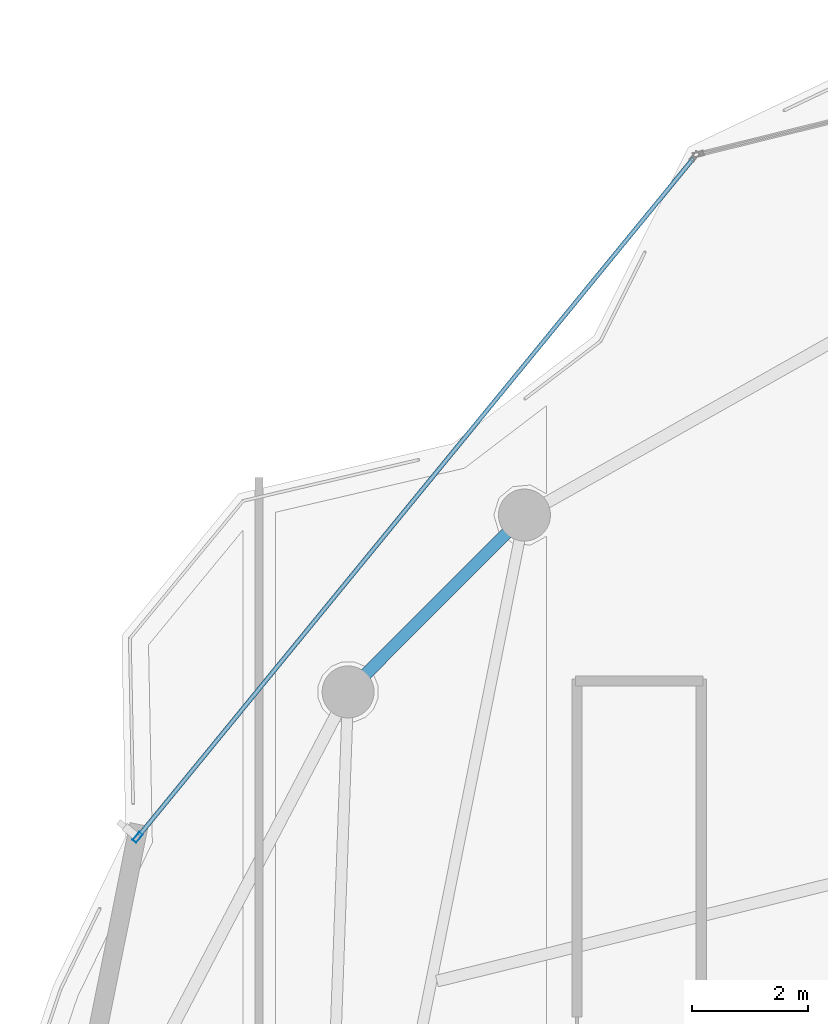
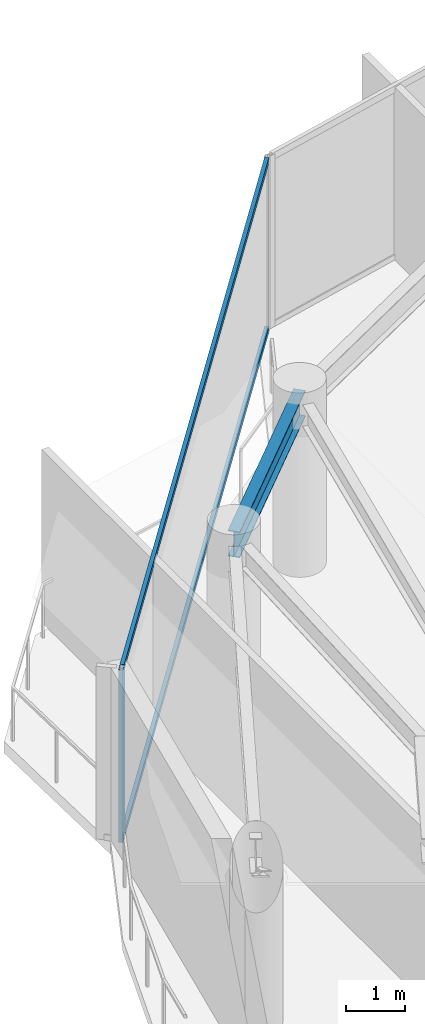
# One storey, part 18 of 29: 3 members, 1 beam, 1 element without a shape of its own.
"""IFC4 building model written with IfcOpenShell, lengths in metres."""

from ifc_helpers import new_model, si_unit, direction, frame, origin, origin_2d, place, context, subcontext, project, spatial, hollow_rectangle, i_section, extrude, material, layer, layer_set, material_profile, profile_set, type_object, element, aggregate, save


model = new_model("IFC4")

# Units and contexts
model_context = context("Model", 3, precision=1e-05, world=origin(), true_north=direction((0.0, 1.0)))
body_context = subcontext(model_context, "Body", "Model", "MODEL_VIEW")
ifc_project = project(units=[si_unit("LENGTHUNIT", "METRE"), si_unit("AREAUNIT", "SQUARE_METRE"), si_unit("VOLUMEUNIT", "CUBIC_METRE"), si_unit("PLANEANGLEUNIT", "RADIAN"), si_unit("MASSUNIT", "GRAM", prefix="KILO")], contexts=[model_context])

# Site, building, storey
site_placement = place(None, origin())
site = spatial("IfcSite", under=ifc_project, at=site_placement, CompositionType="ELEMENT")
building_placement = place(site_placement, origin())
building = spatial("IfcBuilding", under=site, at=building_placement, Name="Kazevale Care Tower and Concert Hall", CompositionType="ELEMENT")
storey_placement = place(building_placement, frame((0.0, 0.0, 285.199951171875)))
storey = spatial("IfcBuildingStorey", under=building, at=storey_placement, Name="L75", CompositionType="ELEMENT", Elevation=285.199951171875)

# Curtain wall, members
ifc_material_1 = material(Name="Aluminium 6063-T6 and Low-E Glass", Category="aluminium")
ifc_layer = layer(ifc_material_1, 0.179931640625)
ifc_layer_set = layer_set([ifc_layer], Name="Aluminium 6063-T6 and Low-E Glass")
curtain_wall_type = type_object("IfcCurtainWallType", Name="Convex Checkerboard Finned Curtain Wall CW-2", PredefinedType="NOTDEFINED", material=ifc_layer_set)
curtain_wall_placement = place(storey_placement, origin())
curtain_wall = element("IfcCurtainWall", 1, at=curtain_wall_placement, inside=storey, type_object=curtain_wall_type, Name="cw:L75:f14", PredefinedType="NOTDEFINED")
ifc_material_2 = material(Name="Aluminium 6063-T6", Category="aluminium")
ifc_material_profile_1 = material_profile(ifc_material_2, hollow_rectangle(XDim=0.080078125, YDim=0.179931640625, WallThickness=0.0048828125, at=origin_2d()), Name="ALU80x180x5")
ifc_profile_set_1 = profile_set([ifc_material_profile_1], Name="Aluminium 6063-T6")
member_type_1 = type_object("IfcMemberType", Name="CW-2 Mullion ALU80x180x5", PredefinedType="MULLION", material=ifc_profile_set_1)
member_1_placement = place(storey_placement, frame((18.8984375, 48.794921875, 0.0), z_axis=(0.0, 0.0, 1.0), x_axis=(-0.773802882676, 0.63342647463, 0.0)))
member_1 = element("IfcMember", 2, at=member_1_placement, type_object=member_type_1, Name="CW-2 mullion 1", PredefinedType="MULLION", context=body_context, shape_type="SweptSolid", body=[
    extrude(hollow_rectangle(XDim=0.080078125, YDim=0.179931640625, WallThickness=0.0048828125, at=origin_2d()), origin(), (0.0, 0.0, 1.0), 3.56005859375),
])
ifc_material_profile_2 = material_profile(ifc_material_2, hollow_rectangle(XDim=0.074951171875, YDim=0.1201171875, WallThickness=0.00390625, at=origin_2d()), Name="ALU75x120x4")
ifc_profile_set_2 = profile_set([ifc_material_profile_2], Name="Aluminium 6063-T6")
member_type_2 = type_object("IfcMemberType", Name="CW-2 Transom ALU75x120x4", PredefinedType="USERDEFINED", material=ifc_profile_set_2)
member_2_placement = place(storey_placement, frame((18.923583984375, 48.825927734375, 0.03759765625), z_axis=(0.633427513574, 0.773802032206, 0.0), x_axis=(-0.773802032206, 0.633427513574, 0.0)))
member_2 = element("IfcMember", 3, at=member_2_placement, type_object=member_type_2, Name="CW-2 transom 1.1", ObjectType="TRANSOM", PredefinedType="USERDEFINED", context=body_context, shape_type="SweptSolid", body=[
    extrude(hollow_rectangle(XDim=0.074951171875, YDim=0.1201171875, WallThickness=0.00390625, at=origin_2d()), origin(), (0.0, 0.0, 1.0), 15.134521484375),
])
member_3_placement = place(storey_placement, frame((18.923583984375, 48.825927734375, 3.5224609375), z_axis=(0.633427513574, 0.773802032206, 0.0), x_axis=(-0.773802032206, 0.633427513574, 0.0)))
member_3 = element("IfcMember", 4, at=member_3_placement, type_object=member_type_2, Name="CW-2 transom 1.2", ObjectType="TRANSOM", PredefinedType="USERDEFINED", context=body_context, shape_type="SweptSolid", body=[
    extrude(hollow_rectangle(XDim=0.074951171875, YDim=0.1201171875, WallThickness=0.00390625, at=origin_2d()), origin(), (0.0, 0.0, 1.0), 15.134521484375),
])
aggregate(curtain_wall, [member_1, member_2, member_3])

# Beam
ifc_material_3 = material(Name="Steel ASTM A572 Gr 50", Category="steel")
ifc_material_profile_3 = material_profile(ifc_material_3, i_section(OverallWidth=0.208984375, OverallDepth=0.532958984375, WebThickness=0.01025390625, FlangeThickness=0.015625, at=origin_2d()), Name="W530x92")
ifc_profile_set_3 = profile_set([ifc_material_profile_3], Name="Steel ASTM A572 Gr 50")
beam_type = type_object("IfcBeamType", Name="Upper Ring Beam W530x92", PredefinedType="BEAM", material=ifc_profile_set_3)
beam_placement = place(storey_placement, frame((25.590087890625, 54.3701171875, 3.29345703125), z_axis=(-0.705947429832, -0.708264234812, 0.0), x_axis=(0.708264234812, -0.705947429832, 0.0)))
element("IfcBeam", 5, at=beam_placement, inside=storey, type_object=beam_type, Name="beam:L75:ring:07", PredefinedType="BEAM", context=body_context, shape_type="SweptSolid", body=[
    extrude(i_section(OverallWidth=0.208984375, OverallDepth=0.532958984375, WebThickness=0.01025390625, FlangeThickness=0.015625, at=origin_2d()), origin(), (0.0, 0.0, 1.0), 4.320556640625),
])

save(model, "model.ifc")
